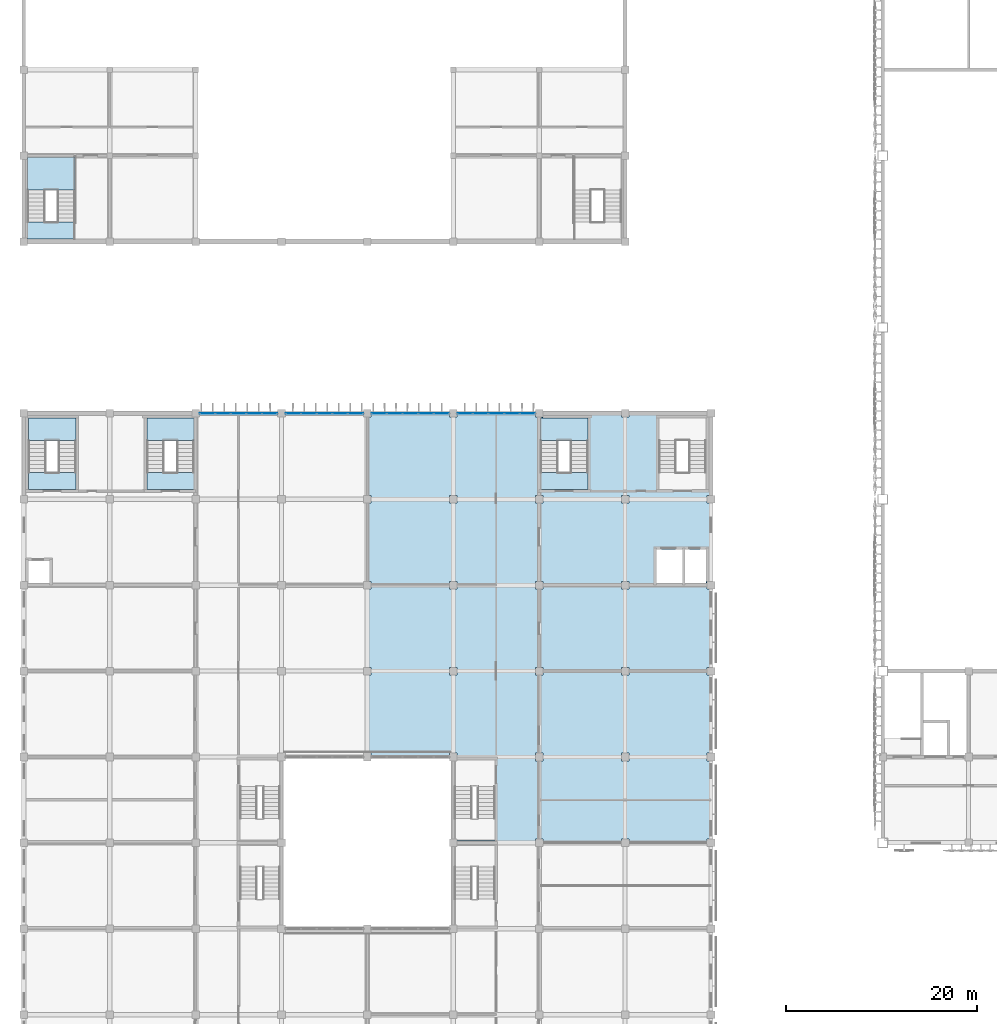
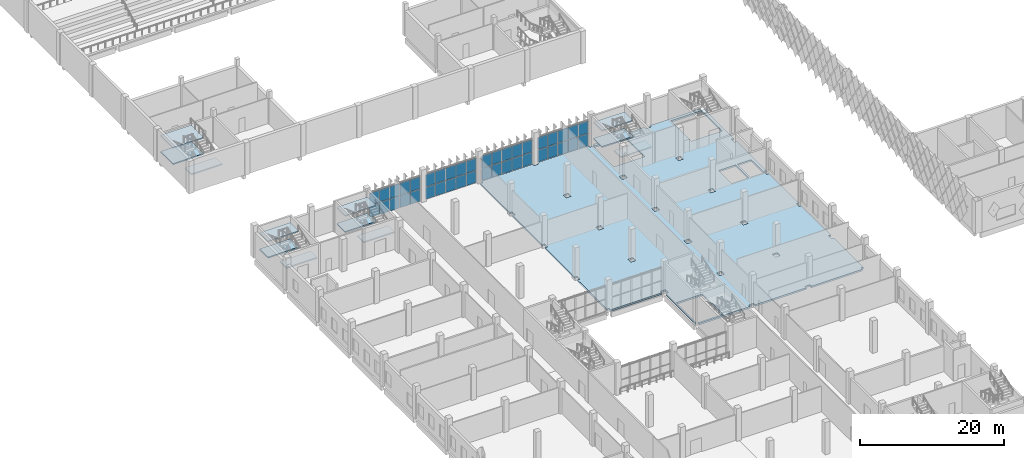
# One storey, part 87 of 185: 40 plates, 13 slabs, 8 elements without a shape of their own.
"""IFC4 building model written with IfcOpenShell, lengths in metres."""

from ifc_helpers import new_model, si_unit, direction, frame, origin, origin_2d, place, context, subcontext, project, spatial, polyline, rectangle, outline, extrude, material, layer, layer_set, type_object, element, aggregate, save


model = new_model("IFC4")

# Units and contexts
model_context = context("Model", 3, precision=1e-05, world=origin(), true_north=direction((0.0, 1.0)))
body_context = subcontext(model_context, "Body", "Model", "MODEL_VIEW")
ifc_project = project(units=[si_unit("LENGTHUNIT", "METRE"), si_unit("AREAUNIT", "SQUARE_METRE"), si_unit("VOLUMEUNIT", "CUBIC_METRE"), si_unit("PLANEANGLEUNIT", "RADIAN"), si_unit("MASSUNIT", "GRAM", prefix="KILO")], contexts=[model_context])

# Site, building, storey
site_placement = place(None, origin())
site = spatial("IfcSite", under=ifc_project, at=site_placement, CompositionType="ELEMENT")
building_placement = place(site_placement, origin())
building = spatial("IfcBuilding", under=site, at=building_placement, Name="Opaline Strait Convention Centre", CompositionType="ELEMENT")
storey_placement = place(building_placement, frame((0.0, 0.0, 6.0)))
storey = spatial("IfcBuildingStorey", under=building, at=storey_placement, Name="L01", CompositionType="ELEMENT", Elevation=6.0)

# Curtain wall, plates
ifc_material_1 = material(Name="Aluminium framed double glazing", Category="aluminium")
ifc_layer_1 = layer(ifc_material_1, 0.199951171875)
ifc_layer_set_1 = layer_set([ifc_layer_1], Name="Aluminium framed double glazing")
curtain_wall_type = type_object("IfcCurtainWallType", Name="Curtain wall 1500 module", PredefinedType="NOTDEFINED", material=ifc_layer_set_1)
curtain_wall_1_placement = place(storey_placement, origin())
curtain_wall_1 = element("IfcCurtainWall", 1, at=curtain_wall_1_placement, inside=storey, type_object=curtain_wall_type, Name="L01 N facade glazing bay 3", PredefinedType="NOTDEFINED")
ifc_material_2 = material(Name="Double glazed unit low emissivity", Category="glass")
ifc_layer_2 = layer(ifc_material_2, 0.028076171875)
ifc_layer_set_2 = layer_set([ifc_layer_2], Name="Double glazed unit low emissivity")
plate_type = type_object("IfcPlateType", Name="Curtain wall glass panel 28", PredefinedType="CURTAIN_PANEL", material=ifc_layer_set_2)
plate_1_placement = place(storey_placement, frame((28.23486328125, 99.0, 0.06005859375), z_axis=(0.0, 0.0, 1.0), x_axis=(1.0, 0.0, 0.0)))
plate_1 = element("IfcPlate", 2, at=plate_1_placement, type_object=plate_type, Name="RCW1 panel 1.1", PredefinedType="CURTAIN_PANEL", context=body_context, shape_type="SweptSolid", body=[
    extrude(rectangle(XDim=1.550048828125, YDim=0.028076171875, at=origin_2d()), origin(), (0.0, 0.0, 1.0), 2.070068359375),
])
plate_2_placement = place(storey_placement, frame((28.23486328125, 99.0, 2.18994140625), z_axis=(0.0, 0.0, 1.0), x_axis=(1.0, 0.0, 0.0)))
plate_2 = element("IfcPlate", 3, at=plate_2_placement, type_object=plate_type, Name="RCW1 panel 1.2", PredefinedType="CURTAIN_PANEL", context=body_context, shape_type="SweptSolid", body=[
    extrude(rectangle(XDim=1.550048828125, YDim=0.028076171875, at=origin_2d()), origin(), (0.0, 0.0, 1.0), 2.070068359375),
])
plate_3_placement = place(storey_placement, frame((29.85986328125, 99.0, 0.06005859375), z_axis=(0.0, 0.0, 1.0), x_axis=(1.0, 0.0, 0.0)))
plate_3 = element("IfcPlate", 4, at=plate_3_placement, type_object=plate_type, Name="RCW1 panel 2.1", PredefinedType="CURTAIN_PANEL", context=body_context, shape_type="SweptSolid", body=[
    extrude(rectangle(XDim=1.580078125, YDim=0.028076171875, at=origin_2d()), origin(), (0.0, 0.0, 1.0), 2.070068359375),
])
plate_4_placement = place(storey_placement, frame((29.85986328125, 99.0, 2.18994140625), z_axis=(0.0, 0.0, 1.0), x_axis=(1.0, 0.0, 0.0)))
plate_4 = element("IfcPlate", 5, at=plate_4_placement, type_object=plate_type, Name="RCW1 panel 2.2", PredefinedType="CURTAIN_PANEL", context=body_context, shape_type="SweptSolid", body=[
    extrude(rectangle(XDim=1.580078125, YDim=0.028076171875, at=origin_2d()), origin(), (0.0, 0.0, 1.0), 2.070068359375),
])
plate_5_placement = place(storey_placement, frame((31.5, 99.0, 0.06005859375), z_axis=(0.0, 0.0, 1.0), x_axis=(1.0, 0.0, 0.0)))
plate_5 = element("IfcPlate", 6, at=plate_5_placement, type_object=plate_type, Name="RCW1 panel 3.1", PredefinedType="CURTAIN_PANEL", context=body_context, shape_type="SweptSolid", body=[
    extrude(rectangle(XDim=1.580078125, YDim=0.028076171875, at=origin_2d()), origin(), (0.0, 0.0, 1.0), 2.070068359375),
])
plate_6_placement = place(storey_placement, frame((31.5, 99.0, 2.18994140625), z_axis=(0.0, 0.0, 1.0), x_axis=(1.0, 0.0, 0.0)))
plate_6 = element("IfcPlate", 7, at=plate_6_placement, type_object=plate_type, Name="RCW1 panel 3.2", PredefinedType="CURTAIN_PANEL", context=body_context, shape_type="SweptSolid", body=[
    extrude(rectangle(XDim=1.580078125, YDim=0.028076171875, at=origin_2d()), origin(), (0.0, 0.0, 1.0), 2.070068359375),
])
plate_7_placement = place(storey_placement, frame((33.14013671875, 99.0, 0.06005859375), z_axis=(0.0, 0.0, 1.0), x_axis=(1.0, 0.0, 0.0)))
plate_7 = element("IfcPlate", 8, at=plate_7_placement, type_object=plate_type, Name="RCW1 panel 4.1", PredefinedType="CURTAIN_PANEL", context=body_context, shape_type="SweptSolid", body=[
    extrude(rectangle(XDim=1.580078125, YDim=0.028076171875, at=origin_2d()), origin(), (0.0, 0.0, 1.0), 2.070068359375),
])
plate_8_placement = place(storey_placement, frame((33.14013671875, 99.0, 2.18994140625), z_axis=(0.0, 0.0, 1.0), x_axis=(1.0, 0.0, 0.0)))
plate_8 = element("IfcPlate", 9, at=plate_8_placement, type_object=plate_type, Name="RCW1 panel 4.2", PredefinedType="CURTAIN_PANEL", context=body_context, shape_type="SweptSolid", body=[
    extrude(rectangle(XDim=1.580078125, YDim=0.028076171875, at=origin_2d()), origin(), (0.0, 0.0, 1.0), 2.070068359375),
])
plate_9_placement = place(storey_placement, frame((34.76513671875, 99.0, 0.06005859375), z_axis=(0.0, 0.0, 1.0), x_axis=(1.0, 0.0, 0.0)))
plate_9 = element("IfcPlate", 10, at=plate_9_placement, type_object=plate_type, Name="RCW1 panel 5.1", PredefinedType="CURTAIN_PANEL", context=body_context, shape_type="SweptSolid", body=[
    extrude(rectangle(XDim=1.550048828125, YDim=0.028076171875, at=origin_2d()), origin(), (0.0, 0.0, 1.0), 2.070068359375),
])
plate_10_placement = place(storey_placement, frame((34.76513671875, 99.0, 2.18994140625), z_axis=(0.0, 0.0, 1.0), x_axis=(1.0, 0.0, 0.0)))
plate_10 = element("IfcPlate", 11, at=plate_10_placement, type_object=plate_type, Name="RCW1 panel 5.2", PredefinedType="CURTAIN_PANEL", context=body_context, shape_type="SweptSolid", body=[
    extrude(rectangle(XDim=1.550048828125, YDim=0.028076171875, at=origin_2d()), origin(), (0.0, 0.0, 1.0), 2.070068359375),
])
aggregate(curtain_wall_1, [plate_1, plate_2, plate_3, plate_4, plate_5, plate_6, plate_7, plate_8, plate_9, plate_10])

curtain_wall_2_placement = place(storey_placement, origin())
curtain_wall_2 = element("IfcCurtainWall", 12, at=curtain_wall_2_placement, inside=storey, type_object=curtain_wall_type, Name="L01 N facade glazing bay 4", PredefinedType="NOTDEFINED")
plate_11_placement = place(storey_placement, frame((37.23486328125, 99.0, 0.06005859375), z_axis=(0.0, 0.0, 1.0), x_axis=(1.0, 0.0, 0.0)))
plate_11 = element("IfcPlate", 13, at=plate_11_placement, type_object=plate_type, Name="RCW1 panel 1.1", PredefinedType="CURTAIN_PANEL", context=body_context, shape_type="SweptSolid", body=[
    extrude(rectangle(XDim=1.550048828125, YDim=0.028076171875, at=origin_2d()), origin(), (0.0, 0.0, 1.0), 2.070068359375),
])
plate_12_placement = place(storey_placement, frame((37.23486328125, 99.0, 2.18994140625), z_axis=(0.0, 0.0, 1.0), x_axis=(1.0, 0.0, 0.0)))
plate_12 = element("IfcPlate", 14, at=plate_12_placement, type_object=plate_type, Name="RCW1 panel 1.2", PredefinedType="CURTAIN_PANEL", context=body_context, shape_type="SweptSolid", body=[
    extrude(rectangle(XDim=1.550048828125, YDim=0.028076171875, at=origin_2d()), origin(), (0.0, 0.0, 1.0), 2.070068359375),
])
plate_13_placement = place(storey_placement, frame((38.85986328125, 99.0, 0.06005859375), z_axis=(0.0, 0.0, 1.0), x_axis=(1.0, 0.0, 0.0)))
plate_13 = element("IfcPlate", 15, at=plate_13_placement, type_object=plate_type, Name="RCW1 panel 2.1", PredefinedType="CURTAIN_PANEL", context=body_context, shape_type="SweptSolid", body=[
    extrude(rectangle(XDim=1.580078125, YDim=0.028076171875, at=origin_2d()), origin(), (0.0, 0.0, 1.0), 2.070068359375),
])
plate_14_placement = place(storey_placement, frame((38.85986328125, 99.0, 2.18994140625), z_axis=(0.0, 0.0, 1.0), x_axis=(1.0, 0.0, 0.0)))
plate_14 = element("IfcPlate", 16, at=plate_14_placement, type_object=plate_type, Name="RCW1 panel 2.2", PredefinedType="CURTAIN_PANEL", context=body_context, shape_type="SweptSolid", body=[
    extrude(rectangle(XDim=1.580078125, YDim=0.028076171875, at=origin_2d()), origin(), (0.0, 0.0, 1.0), 2.070068359375),
])
plate_15_placement = place(storey_placement, frame((40.5, 99.0, 0.06005859375), z_axis=(0.0, 0.0, 1.0), x_axis=(1.0, 0.0, 0.0)))
plate_15 = element("IfcPlate", 17, at=plate_15_placement, type_object=plate_type, Name="RCW1 panel 3.1", PredefinedType="CURTAIN_PANEL", context=body_context, shape_type="SweptSolid", body=[
    extrude(rectangle(XDim=1.580078125, YDim=0.028076171875, at=origin_2d()), origin(), (0.0, 0.0, 1.0), 2.070068359375),
])
plate_16_placement = place(storey_placement, frame((40.5, 99.0, 2.18994140625), z_axis=(0.0, 0.0, 1.0), x_axis=(1.0, 0.0, 0.0)))
plate_16 = element("IfcPlate", 18, at=plate_16_placement, type_object=plate_type, Name="RCW1 panel 3.2", PredefinedType="CURTAIN_PANEL", context=body_context, shape_type="SweptSolid", body=[
    extrude(rectangle(XDim=1.580078125, YDim=0.028076171875, at=origin_2d()), origin(), (0.0, 0.0, 1.0), 2.070068359375),
])
plate_17_placement = place(storey_placement, frame((42.14013671875, 99.0, 0.06005859375), z_axis=(0.0, 0.0, 1.0), x_axis=(1.0, 0.0, 0.0)))
plate_17 = element("IfcPlate", 19, at=plate_17_placement, type_object=plate_type, Name="RCW1 panel 4.1", PredefinedType="CURTAIN_PANEL", context=body_context, shape_type="SweptSolid", body=[
    extrude(rectangle(XDim=1.580078125, YDim=0.028076171875, at=origin_2d()), origin(), (0.0, 0.0, 1.0), 2.070068359375),
])
plate_18_placement = place(storey_placement, frame((42.14013671875, 99.0, 2.18994140625), z_axis=(0.0, 0.0, 1.0), x_axis=(1.0, 0.0, 0.0)))
plate_18 = element("IfcPlate", 20, at=plate_18_placement, type_object=plate_type, Name="RCW1 panel 4.2", PredefinedType="CURTAIN_PANEL", context=body_context, shape_type="SweptSolid", body=[
    extrude(rectangle(XDim=1.580078125, YDim=0.028076171875, at=origin_2d()), origin(), (0.0, 0.0, 1.0), 2.070068359375),
])
plate_19_placement = place(storey_placement, frame((43.76513671875, 99.0, 0.06005859375), z_axis=(0.0, 0.0, 1.0), x_axis=(1.0, 0.0, 0.0)))
plate_19 = element("IfcPlate", 21, at=plate_19_placement, type_object=plate_type, Name="RCW1 panel 5.1", PredefinedType="CURTAIN_PANEL", context=body_context, shape_type="SweptSolid", body=[
    extrude(rectangle(XDim=1.550048828125, YDim=0.028076171875, at=origin_2d()), origin(), (0.0, 0.0, 1.0), 2.070068359375),
])
plate_20_placement = place(storey_placement, frame((43.76513671875, 99.0, 2.18994140625), z_axis=(0.0, 0.0, 1.0), x_axis=(1.0, 0.0, 0.0)))
plate_20 = element("IfcPlate", 22, at=plate_20_placement, type_object=plate_type, Name="RCW1 panel 5.2", PredefinedType="CURTAIN_PANEL", context=body_context, shape_type="SweptSolid", body=[
    extrude(rectangle(XDim=1.550048828125, YDim=0.028076171875, at=origin_2d()), origin(), (0.0, 0.0, 1.0), 2.070068359375),
])
aggregate(curtain_wall_2, [plate_11, plate_12, plate_13, plate_14, plate_15, plate_16, plate_17, plate_18, plate_19, plate_20])

curtain_wall_3_placement = place(storey_placement, origin())
curtain_wall_3 = element("IfcCurtainWall", 23, at=curtain_wall_3_placement, inside=storey, type_object=curtain_wall_type, Name="L01 N facade glazing bay 5", PredefinedType="NOTDEFINED")
plate_21_placement = place(storey_placement, frame((46.23486328125, 99.0, 0.06005859375), z_axis=(0.0, 0.0, 1.0), x_axis=(1.0, 0.0, 0.0)))
plate_21 = element("IfcPlate", 24, at=plate_21_placement, type_object=plate_type, Name="RCW1 panel 1.1", PredefinedType="CURTAIN_PANEL", context=body_context, shape_type="SweptSolid", body=[
    extrude(rectangle(XDim=1.550048828125, YDim=0.028076171875, at=origin_2d()), origin(), (0.0, 0.0, 1.0), 2.070068359375),
])
plate_22_placement = place(storey_placement, frame((46.23486328125, 99.0, 2.18994140625), z_axis=(0.0, 0.0, 1.0), x_axis=(1.0, 0.0, 0.0)))
plate_22 = element("IfcPlate", 25, at=plate_22_placement, type_object=plate_type, Name="RCW1 panel 1.2", PredefinedType="CURTAIN_PANEL", context=body_context, shape_type="SweptSolid", body=[
    extrude(rectangle(XDim=1.550048828125, YDim=0.028076171875, at=origin_2d()), origin(), (0.0, 0.0, 1.0), 2.070068359375),
])
plate_23_placement = place(storey_placement, frame((47.85986328125, 99.0, 0.06005859375), z_axis=(0.0, 0.0, 1.0), x_axis=(1.0, 0.0, 0.0)))
plate_23 = element("IfcPlate", 26, at=plate_23_placement, type_object=plate_type, Name="RCW1 panel 2.1", PredefinedType="CURTAIN_PANEL", context=body_context, shape_type="SweptSolid", body=[
    extrude(rectangle(XDim=1.580078125, YDim=0.028076171875, at=origin_2d()), origin(), (0.0, 0.0, 1.0), 2.070068359375),
])
plate_24_placement = place(storey_placement, frame((47.85986328125, 99.0, 2.18994140625), z_axis=(0.0, 0.0, 1.0), x_axis=(1.0, 0.0, 0.0)))
plate_24 = element("IfcPlate", 27, at=plate_24_placement, type_object=plate_type, Name="RCW1 panel 2.2", PredefinedType="CURTAIN_PANEL", context=body_context, shape_type="SweptSolid", body=[
    extrude(rectangle(XDim=1.580078125, YDim=0.028076171875, at=origin_2d()), origin(), (0.0, 0.0, 1.0), 2.070068359375),
])
plate_25_placement = place(storey_placement, frame((49.5, 99.0, 0.06005859375), z_axis=(0.0, 0.0, 1.0), x_axis=(1.0, 0.0, 0.0)))
plate_25 = element("IfcPlate", 28, at=plate_25_placement, type_object=plate_type, Name="RCW1 panel 3.1", PredefinedType="CURTAIN_PANEL", context=body_context, shape_type="SweptSolid", body=[
    extrude(rectangle(XDim=1.580078125, YDim=0.028076171875, at=origin_2d()), origin(), (0.0, 0.0, 1.0), 2.070068359375),
])
plate_26_placement = place(storey_placement, frame((49.5, 99.0, 2.18994140625), z_axis=(0.0, 0.0, 1.0), x_axis=(1.0, 0.0, 0.0)))
plate_26 = element("IfcPlate", 29, at=plate_26_placement, type_object=plate_type, Name="RCW1 panel 3.2", PredefinedType="CURTAIN_PANEL", context=body_context, shape_type="SweptSolid", body=[
    extrude(rectangle(XDim=1.580078125, YDim=0.028076171875, at=origin_2d()), origin(), (0.0, 0.0, 1.0), 2.070068359375),
])
plate_27_placement = place(storey_placement, frame((51.14013671875, 99.0, 0.06005859375), z_axis=(0.0, 0.0, 1.0), x_axis=(1.0, 0.0, 0.0)))
plate_27 = element("IfcPlate", 30, at=plate_27_placement, type_object=plate_type, Name="RCW1 panel 4.1", PredefinedType="CURTAIN_PANEL", context=body_context, shape_type="SweptSolid", body=[
    extrude(rectangle(XDim=1.580078125, YDim=0.028076171875, at=origin_2d()), origin(), (0.0, 0.0, 1.0), 2.070068359375),
])
plate_28_placement = place(storey_placement, frame((51.14013671875, 99.0, 2.18994140625), z_axis=(0.0, 0.0, 1.0), x_axis=(1.0, 0.0, 0.0)))
plate_28 = element("IfcPlate", 31, at=plate_28_placement, type_object=plate_type, Name="RCW1 panel 4.2", PredefinedType="CURTAIN_PANEL", context=body_context, shape_type="SweptSolid", body=[
    extrude(rectangle(XDim=1.580078125, YDim=0.028076171875, at=origin_2d()), origin(), (0.0, 0.0, 1.0), 2.070068359375),
])
plate_29_placement = place(storey_placement, frame((52.76513671875, 99.0, 0.06005859375), z_axis=(0.0, 0.0, 1.0), x_axis=(1.0, 0.0, 0.0)))
plate_29 = element("IfcPlate", 32, at=plate_29_placement, type_object=plate_type, Name="RCW1 panel 5.1", PredefinedType="CURTAIN_PANEL", context=body_context, shape_type="SweptSolid", body=[
    extrude(rectangle(XDim=1.550048828125, YDim=0.028076171875, at=origin_2d()), origin(), (0.0, 0.0, 1.0), 2.070068359375),
])
plate_30_placement = place(storey_placement, frame((52.76513671875, 99.0, 2.18994140625), z_axis=(0.0, 0.0, 1.0), x_axis=(1.0, 0.0, 0.0)))
plate_30 = element("IfcPlate", 33, at=plate_30_placement, type_object=plate_type, Name="RCW1 panel 5.2", PredefinedType="CURTAIN_PANEL", context=body_context, shape_type="SweptSolid", body=[
    extrude(rectangle(XDim=1.550048828125, YDim=0.028076171875, at=origin_2d()), origin(), (0.0, 0.0, 1.0), 2.070068359375),
])
aggregate(curtain_wall_3, [plate_21, plate_22, plate_23, plate_24, plate_25, plate_26, plate_27, plate_28, plate_29, plate_30])

curtain_wall_4_placement = place(storey_placement, origin())
curtain_wall_4 = element("IfcCurtainWall", 34, at=curtain_wall_4_placement, inside=storey, type_object=curtain_wall_type, Name="L01 N facade glazing bay 6", PredefinedType="NOTDEFINED")
plate_31_placement = place(storey_placement, frame((55.23486328125, 99.0, 0.06005859375), z_axis=(0.0, 0.0, 1.0), x_axis=(1.0, 0.0, 0.0)))
plate_31 = element("IfcPlate", 35, at=plate_31_placement, type_object=plate_type, Name="RCW1 panel 1.1", PredefinedType="CURTAIN_PANEL", context=body_context, shape_type="SweptSolid", body=[
    extrude(rectangle(XDim=1.550048828125, YDim=0.028076171875, at=origin_2d()), origin(), (0.0, 0.0, 1.0), 2.070068359375),
])
plate_32_placement = place(storey_placement, frame((55.23486328125, 99.0, 2.18994140625), z_axis=(0.0, 0.0, 1.0), x_axis=(1.0, 0.0, 0.0)))
plate_32 = element("IfcPlate", 36, at=plate_32_placement, type_object=plate_type, Name="RCW1 panel 1.2", PredefinedType="CURTAIN_PANEL", context=body_context, shape_type="SweptSolid", body=[
    extrude(rectangle(XDim=1.550048828125, YDim=0.028076171875, at=origin_2d()), origin(), (0.0, 0.0, 1.0), 2.070068359375),
])
plate_33_placement = place(storey_placement, frame((56.85986328125, 99.0, 0.06005859375), z_axis=(0.0, 0.0, 1.0), x_axis=(1.0, 0.0, 0.0)))
plate_33 = element("IfcPlate", 37, at=plate_33_placement, type_object=plate_type, Name="RCW1 panel 2.1", PredefinedType="CURTAIN_PANEL", context=body_context, shape_type="SweptSolid", body=[
    extrude(rectangle(XDim=1.580078125, YDim=0.028076171875, at=origin_2d()), origin(), (0.0, 0.0, 1.0), 2.070068359375),
])
plate_34_placement = place(storey_placement, frame((56.85986328125, 99.0, 2.18994140625), z_axis=(0.0, 0.0, 1.0), x_axis=(1.0, 0.0, 0.0)))
plate_34 = element("IfcPlate", 38, at=plate_34_placement, type_object=plate_type, Name="RCW1 panel 2.2", PredefinedType="CURTAIN_PANEL", context=body_context, shape_type="SweptSolid", body=[
    extrude(rectangle(XDim=1.580078125, YDim=0.028076171875, at=origin_2d()), origin(), (0.0, 0.0, 1.0), 2.070068359375),
])
plate_35_placement = place(storey_placement, frame((58.5, 99.0, 0.06005859375), z_axis=(0.0, 0.0, 1.0), x_axis=(1.0, 0.0, 0.0)))
plate_35 = element("IfcPlate", 39, at=plate_35_placement, type_object=plate_type, Name="RCW1 panel 3.1", PredefinedType="CURTAIN_PANEL", context=body_context, shape_type="SweptSolid", body=[
    extrude(rectangle(XDim=1.580078125, YDim=0.028076171875, at=origin_2d()), origin(), (0.0, 0.0, 1.0), 2.070068359375),
])
plate_36_placement = place(storey_placement, frame((58.5, 99.0, 2.18994140625), z_axis=(0.0, 0.0, 1.0), x_axis=(1.0, 0.0, 0.0)))
plate_36 = element("IfcPlate", 40, at=plate_36_placement, type_object=plate_type, Name="RCW1 panel 3.2", PredefinedType="CURTAIN_PANEL", context=body_context, shape_type="SweptSolid", body=[
    extrude(rectangle(XDim=1.580078125, YDim=0.028076171875, at=origin_2d()), origin(), (0.0, 0.0, 1.0), 2.070068359375),
])
plate_37_placement = place(storey_placement, frame((60.14013671875, 99.0, 0.06005859375), z_axis=(0.0, 0.0, 1.0), x_axis=(1.0, 0.0, 0.0)))
plate_37 = element("IfcPlate", 41, at=plate_37_placement, type_object=plate_type, Name="RCW1 panel 4.1", PredefinedType="CURTAIN_PANEL", context=body_context, shape_type="SweptSolid", body=[
    extrude(rectangle(XDim=1.580078125, YDim=0.028076171875, at=origin_2d()), origin(), (0.0, 0.0, 1.0), 2.070068359375),
])
plate_38_placement = place(storey_placement, frame((60.14013671875, 99.0, 2.18994140625), z_axis=(0.0, 0.0, 1.0), x_axis=(1.0, 0.0, 0.0)))
plate_38 = element("IfcPlate", 42, at=plate_38_placement, type_object=plate_type, Name="RCW1 panel 4.2", PredefinedType="CURTAIN_PANEL", context=body_context, shape_type="SweptSolid", body=[
    extrude(rectangle(XDim=1.580078125, YDim=0.028076171875, at=origin_2d()), origin(), (0.0, 0.0, 1.0), 2.070068359375),
])
plate_39_placement = place(storey_placement, frame((61.76513671875, 99.0, 0.06005859375), z_axis=(0.0, 0.0, 1.0), x_axis=(1.0, 0.0, 0.0)))
plate_39 = element("IfcPlate", 43, at=plate_39_placement, type_object=plate_type, Name="RCW1 panel 5.1", PredefinedType="CURTAIN_PANEL", context=body_context, shape_type="SweptSolid", body=[
    extrude(rectangle(XDim=1.550048828125, YDim=0.028076171875, at=origin_2d()), origin(), (0.0, 0.0, 1.0), 2.070068359375),
])
plate_40_placement = place(storey_placement, frame((61.76513671875, 99.0, 2.18994140625), z_axis=(0.0, 0.0, 1.0), x_axis=(1.0, 0.0, 0.0)))
plate_40 = element("IfcPlate", 44, at=plate_40_placement, type_object=plate_type, Name="RCW1 panel 5.2", PredefinedType="CURTAIN_PANEL", context=body_context, shape_type="SweptSolid", body=[
    extrude(rectangle(XDim=1.550048828125, YDim=0.028076171875, at=origin_2d()), origin(), (0.0, 0.0, 1.0), 2.070068359375),
])
aggregate(curtain_wall_4, [plate_31, plate_32, plate_33, plate_34, plate_35, plate_36, plate_37, plate_38, plate_39, plate_40])

# Slab
ifc_material_3 = material(Name="Concrete C35", Category="concrete")
ifc_layer_3 = layer(ifc_material_3, 0.280029296875)
ifc_layer_set_3 = layer_set([ifc_layer_3], Name="Concrete C35")
slab_type_1 = type_object("IfcSlabType", Name="RC floor slab 280 C35", PredefinedType="FLOOR", material=ifc_layer_set_3)
slab_1_placement = place(storey_placement, frame((0.0, 0.0, -0.280029296875)))
element("IfcSlab", 45, at=slab_1_placement, inside=storey, type_object=slab_type_1, Name="XS2 slab L01 pour NE1", PredefinedType="FLOOR", context=body_context, shape_type="SweptSolid", body=[
    extrude(outline(polyline([(45.39990234375, 98.60009765625), (45.39990234375, 99.0), (53.60009765625, 99.0), (53.60009765625, 98.60009765625), (54.39990234375, 98.60009765625), (54.39990234375, 99.0), (62.60009765625, 99.0), (62.60009765625, 98.60009765625), (63.39990234375, 98.60009765625), (63.39990234375, 99.0), (71.60009765625, 99.0), (71.60009765625, 98.60009765625), (72.39990234375, 98.60009765625), (72.39990234375, 99.0), (80.60009765625, 99.0), (80.60009765625, 98.60009765625), (81.0, 98.60009765625), (81.0, 90.39990234375), (80.60009765625, 90.39990234375), (80.60009765625, 89.60009765625), (81.0, 89.60009765625), (81.0, 81.39990234375), (80.60009765625, 81.39990234375), (80.60009765625, 80.60009765625), (81.0, 80.60009765625), (81.0, 72.39990234375), (80.60009765625, 72.39990234375), (80.60009765625, 71.60009765625), (81.0, 71.60009765625), (81.0, 63.39990234375), (80.60009765625, 63.39990234375), (80.60009765625, 62.60009765625), (81.0, 62.60009765625), (81.0, 54.39990234375), (80.60009765625, 54.39990234375), (80.60009765625, 54.0), (72.39990234375, 54.0), (72.39990234375, 54.39990234375), (71.60009765625, 54.39990234375), (71.60009765625, 54.0), (63.39990234375, 54.0), (63.39990234375, 54.39990234375), (62.60009765625, 54.39990234375), (62.60009765625, 54.0), (54.39990234375, 54.0), (54.39990234375, 54.300048828125), (58.35009765625, 54.300048828125), (58.35009765625, 59.899169921875), (54.14990234375, 59.899169921875), (54.14990234375, 54.39990234375), (54.0, 54.39990234375), (54.0, 62.60009765625), (54.39990234375, 62.60009765625), (54.39990234375, 63.39990234375), (53.60009765625, 63.39990234375), (53.60009765625, 63.0), (45.39990234375, 63.0), (45.39990234375, 63.39990234375), (45.0, 63.39990234375), (45.0, 71.60009765625), (45.39990234375, 71.60009765625), (45.39990234375, 72.39990234375), (45.0, 72.39990234375), (45.0, 80.60009765625), (45.39990234375, 80.60009765625), (45.39990234375, 81.39990234375), (45.0, 81.39990234375), (45.0, 89.60009765625), (45.39990234375, 89.60009765625), (45.39990234375, 90.39990234375), (45.0, 90.39990234375), (45.0, 98.60009765625), (45.39990234375, 98.60009765625)]), holes=[polyline([(62.60009765625, 62.60009765625), (63.39990234375, 62.60009765625), (63.39990234375, 63.39990234375), (62.60009765625, 63.39990234375), (62.60009765625, 62.60009765625)]), polyline([(62.60009765625, 71.60009765625), (63.39990234375, 71.60009765625), (63.39990234375, 72.39990234375), (62.60009765625, 72.39990234375), (62.60009765625, 71.60009765625)]), polyline([(53.60009765625, 71.60009765625), (54.39990234375, 71.60009765625), (54.39990234375, 72.39990234375), (53.60009765625, 72.39990234375), (53.60009765625, 71.60009765625)]), polyline([(53.60009765625, 80.60009765625), (54.39990234375, 80.60009765625), (54.39990234375, 81.39990234375), (53.60009765625, 81.39990234375), (53.60009765625, 80.60009765625)]), polyline([(62.60009765625, 80.60009765625), (63.39990234375, 80.60009765625), (63.39990234375, 81.39990234375), (62.60009765625, 81.39990234375), (62.60009765625, 80.60009765625)]), polyline([(62.60009765625, 89.60009765625), (63.39990234375, 89.60009765625), (63.39990234375, 90.39990234375), (62.60009765625, 90.39990234375), (62.60009765625, 89.60009765625)]), polyline([(53.60009765625, 89.60009765625), (54.39990234375, 89.60009765625), (54.39990234375, 90.39990234375), (53.60009765625, 90.39990234375), (53.60009765625, 89.60009765625)]), polyline([(71.60009765625, 62.60009765625), (72.39990234375, 62.60009765625), (72.39990234375, 63.39990234375), (71.60009765625, 63.39990234375), (71.60009765625, 62.60009765625)]), polyline([(71.60009765625, 71.60009765625), (72.39990234375, 71.60009765625), (72.39990234375, 72.39990234375), (71.60009765625, 72.39990234375), (71.60009765625, 71.60009765625)]), polyline([(71.60009765625, 80.60009765625), (72.39990234375, 80.60009765625), (72.39990234375, 81.39990234375), (71.60009765625, 81.39990234375), (71.60009765625, 80.60009765625)]), polyline([(75.300048828125, 81.14990234375), (78.0, 81.14990234375), (78.0, 84.75), (75.300048828125, 84.75), (75.300048828125, 81.14990234375)]), polyline([(78.300048828125, 81.14990234375), (80.5, 81.14990234375), (80.5, 84.75), (78.300048828125, 84.75), (78.300048828125, 81.14990234375)]), polyline([(71.60009765625, 89.60009765625), (72.39990234375, 89.60009765625), (72.39990234375, 90.39990234375), (71.60009765625, 90.39990234375), (71.60009765625, 89.60009765625)]), polyline([(75.550048828125, 92.80078125), (80.5, 92.80078125), (80.5, 98.5), (75.550048828125, 98.5), (75.550048828125, 92.80078125)]), polyline([(63.14990234375, 92.80078125), (68.10009765625, 92.80078125), (68.10009765625, 98.5), (63.14990234375, 98.5), (63.14990234375, 92.80078125)])]), origin(), (0.0, 0.0, 1.0), 0.280029296875),
])

# Stair, slabs
ifc_material_4 = material(Name="Concrete C40", Category="concrete")
stair_type_1 = type_object("IfcStairType", Name="Exit stair two flights 1800 C40", PredefinedType="HALF_TURN_STAIR", material=ifc_material_4)
stair_1_placement = place(storey_placement, origin())
stair_1 = element("IfcStair", 46, at=stair_1_placement, inside=storey, type_object=stair_type_1, Name="L01 NWA", ObjectType="RST1", PredefinedType="HALF_TURN_STAIR")
ifc_layer_4 = layer(ifc_material_4, 0.199951171875)
ifc_layer_set_4 = layer_set([ifc_layer_4], Name="Concrete C40")
slab_type_2 = type_object("IfcSlabType", Name="Stair landing 200 C40", PredefinedType="LANDING", material=ifc_layer_set_4)
slab_2_placement = place(storey_placement, frame((0.0, 0.0, 1.175048828125)))
slab_2 = element("IfcSlab", 47, at=slab_2_placement, type_object=slab_type_2, Name="NWA landing 1", ObjectType="RSL1", PredefinedType="LANDING", context=body_context, shape_type="SweptSolid", body=[
    extrude(outline(polyline([(14.449951171875, 96.159912109375), (14.449951171875, 98.5), (9.5, 98.5), (9.5, 96.159912109375), (14.449951171875, 96.159912109375)])), origin(), (0.0, 0.0, 1.0), 0.199951171875),
])
slab_3_placement = place(storey_placement, frame((0.0, 0.0, 2.550048828125)))
slab_3 = element("IfcSlab", 48, at=slab_3_placement, type_object=slab_type_2, Name="NWA landing 2", ObjectType="RSL1", PredefinedType="LANDING", context=body_context, shape_type="SweptSolid", body=[
    extrude(outline(polyline([(14.449951171875, 91.0), (14.449951171875, 92.800048828125), (9.5, 92.800048828125), (9.5, 91.0), (14.449951171875, 91.0)])), origin(), (0.0, 0.0, 1.0), 0.199951171875),
])
slab_4_placement = place(storey_placement, frame((0.0, 0.0, 3.925048828125)))
slab_4 = element("IfcSlab", 49, at=slab_4_placement, type_object=slab_type_2, Name="NWA landing 3", ObjectType="RSL1", PredefinedType="LANDING", context=body_context, shape_type="SweptSolid", body=[
    extrude(outline(polyline([(14.449951171875, 96.159912109375), (14.449951171875, 98.5), (9.5, 98.5), (9.5, 96.159912109375), (14.449951171875, 96.159912109375)])), origin(), (0.0, 0.0, 1.0), 0.199951171875),
])
aggregate(stair_1, [slab_2, slab_3, slab_4])

stair_2_placement = place(storey_placement, origin())
stair_2 = element("IfcStair", 50, at=stair_2_placement, inside=storey, type_object=stair_type_1, Name="L01 NWB", ObjectType="RST1", PredefinedType="HALF_TURN_STAIR")
slab_5_placement = place(storey_placement, frame((0.0, 0.0, 1.175048828125)))
slab_5 = element("IfcSlab", 51, at=slab_5_placement, type_object=slab_type_2, Name="NWB landing 1", ObjectType="RSL1", PredefinedType="LANDING", context=body_context, shape_type="SweptSolid", body=[
    extrude(outline(polyline([(26.85009765625, 96.159912109375), (26.85009765625, 98.5), (21.89990234375, 98.5), (21.89990234375, 96.159912109375), (26.85009765625, 96.159912109375)])), origin(), (0.0, 0.0, 1.0), 0.199951171875),
])
slab_6_placement = place(storey_placement, frame((0.0, 0.0, 2.550048828125)))
slab_6 = element("IfcSlab", 52, at=slab_6_placement, type_object=slab_type_2, Name="NWB landing 2", ObjectType="RSL1", PredefinedType="LANDING", context=body_context, shape_type="SweptSolid", body=[
    extrude(outline(polyline([(26.85009765625, 91.0), (26.85009765625, 92.800048828125), (21.89990234375, 92.800048828125), (21.89990234375, 91.0), (26.85009765625, 91.0)])), origin(), (0.0, 0.0, 1.0), 0.199951171875),
])
slab_7_placement = place(storey_placement, frame((0.0, 0.0, 3.925048828125)))
slab_7 = element("IfcSlab", 53, at=slab_7_placement, type_object=slab_type_2, Name="NWB landing 3", ObjectType="RSL1", PredefinedType="LANDING", context=body_context, shape_type="SweptSolid", body=[
    extrude(outline(polyline([(26.85009765625, 96.159912109375), (26.85009765625, 98.5), (21.89990234375, 98.5), (21.89990234375, 96.159912109375), (26.85009765625, 96.159912109375)])), origin(), (0.0, 0.0, 1.0), 0.199951171875),
])
aggregate(stair_2, [slab_5, slab_6, slab_7])

stair_3_placement = place(storey_placement, origin())
stair_3 = element("IfcStair", 54, at=stair_3_placement, inside=storey, type_object=stair_type_1, Name="L01 NEB", ObjectType="RST1", PredefinedType="HALF_TURN_STAIR")
slab_8_placement = place(storey_placement, frame((0.0, 0.0, 1.175048828125)))
slab_8 = element("IfcSlab", 55, at=slab_8_placement, type_object=slab_type_2, Name="NEB landing 1", ObjectType="RSL1", PredefinedType="LANDING", context=body_context, shape_type="SweptSolid", body=[
    extrude(outline(polyline([(68.10009765625, 96.159912109375), (68.10009765625, 98.5), (63.14990234375, 98.5), (63.14990234375, 96.159912109375), (68.10009765625, 96.159912109375)])), origin(), (0.0, 0.0, 1.0), 0.199951171875),
])
slab_9_placement = place(storey_placement, frame((0.0, 0.0, 2.550048828125)))
slab_9 = element("IfcSlab", 56, at=slab_9_placement, type_object=slab_type_2, Name="NEB landing 2", ObjectType="RSL1", PredefinedType="LANDING", context=body_context, shape_type="SweptSolid", body=[
    extrude(outline(polyline([(68.10009765625, 91.0), (68.10009765625, 92.800048828125), (63.14990234375, 92.800048828125), (63.14990234375, 91.0), (68.10009765625, 91.0)])), origin(), (0.0, 0.0, 1.0), 0.199951171875),
])
slab_10_placement = place(storey_placement, frame((0.0, 0.0, 3.925048828125)))
slab_10 = element("IfcSlab", 57, at=slab_10_placement, type_object=slab_type_2, Name="NEB landing 3", ObjectType="RSL1", PredefinedType="LANDING", context=body_context, shape_type="SweptSolid", body=[
    extrude(outline(polyline([(68.10009765625, 96.159912109375), (68.10009765625, 98.5), (63.14990234375, 98.5), (63.14990234375, 96.159912109375), (68.10009765625, 96.159912109375)])), origin(), (0.0, 0.0, 1.0), 0.199951171875),
])
aggregate(stair_3, [slab_8, slab_9, slab_10])

stair_type_2 = type_object("IfcStairType", Name="Core stair half turn 2400", PredefinedType="HALF_TURN_STAIR", material=ifc_material_4)
stair_4_placement = place(storey_placement, origin())
stair_4 = element("IfcStair", 58, at=stair_4_placement, inside=storey, type_object=stair_type_2, Name="L01 SW core stair", ObjectType="PST2", PredefinedType="HALF_TURN_STAIR")
ifc_layer_5 = layer(ifc_material_4, 0.199951171875)
ifc_layer_set_5 = layer_set([ifc_layer_5], Name="Concrete C40")
slab_type_3 = type_object("IfcSlabType", Name="Stair landing 200 precast", PredefinedType="LANDING", material=ifc_layer_set_5)
slab_11_placement = place(storey_placement, frame((0.0, 0.0, 1.175048828125)))
slab_11 = element("IfcSlab", 59, at=slab_11_placement, type_object=slab_type_3, Name="PSR1 landing 1", ObjectType="PSL1", PredefinedType="LANDING", context=body_context, shape_type="SweptSolid", body=[
    extrude(outline(polyline([(14.35009765625, 122.409912109375), (14.35009765625, 125.85009765625), (9.39990234375, 125.85009765625), (9.39990234375, 122.409912109375), (14.35009765625, 122.409912109375)])), origin(), (0.0, 0.0, 1.0), 0.199951171875),
])
slab_12_placement = place(storey_placement, frame((0.0, 0.0, 2.550048828125)))
slab_12 = element("IfcSlab", 60, at=slab_12_placement, type_object=slab_type_3, Name="PSR1 landing 2", ObjectType="PSL1", PredefinedType="LANDING", context=body_context, shape_type="SweptSolid", body=[
    extrude(outline(polyline([(14.35009765625, 117.25), (14.35009765625, 119.050048828125), (9.39990234375, 119.050048828125), (9.39990234375, 117.25), (14.35009765625, 117.25)])), origin(), (0.0, 0.0, 1.0), 0.199951171875),
])
slab_13_placement = place(storey_placement, frame((0.0, 0.0, 3.925048828125)))
slab_13 = element("IfcSlab", 61, at=slab_13_placement, type_object=slab_type_3, Name="PSR1 landing 3", ObjectType="PSL1", PredefinedType="LANDING", context=body_context, shape_type="SweptSolid", body=[
    extrude(outline(polyline([(14.35009765625, 122.409912109375), (14.35009765625, 125.85009765625), (9.39990234375, 125.85009765625), (9.39990234375, 122.409912109375), (14.35009765625, 122.409912109375)])), origin(), (0.0, 0.0, 1.0), 0.199951171875),
])
aggregate(stair_4, [slab_11, slab_12, slab_13])

save(model, "model.ifc")
